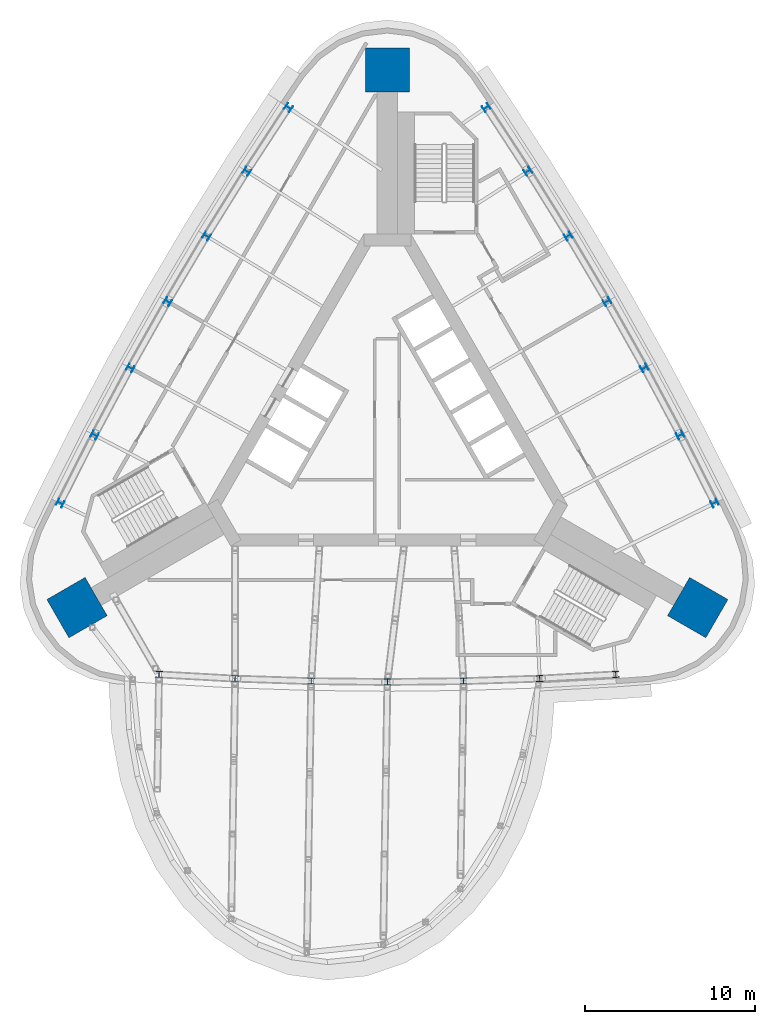
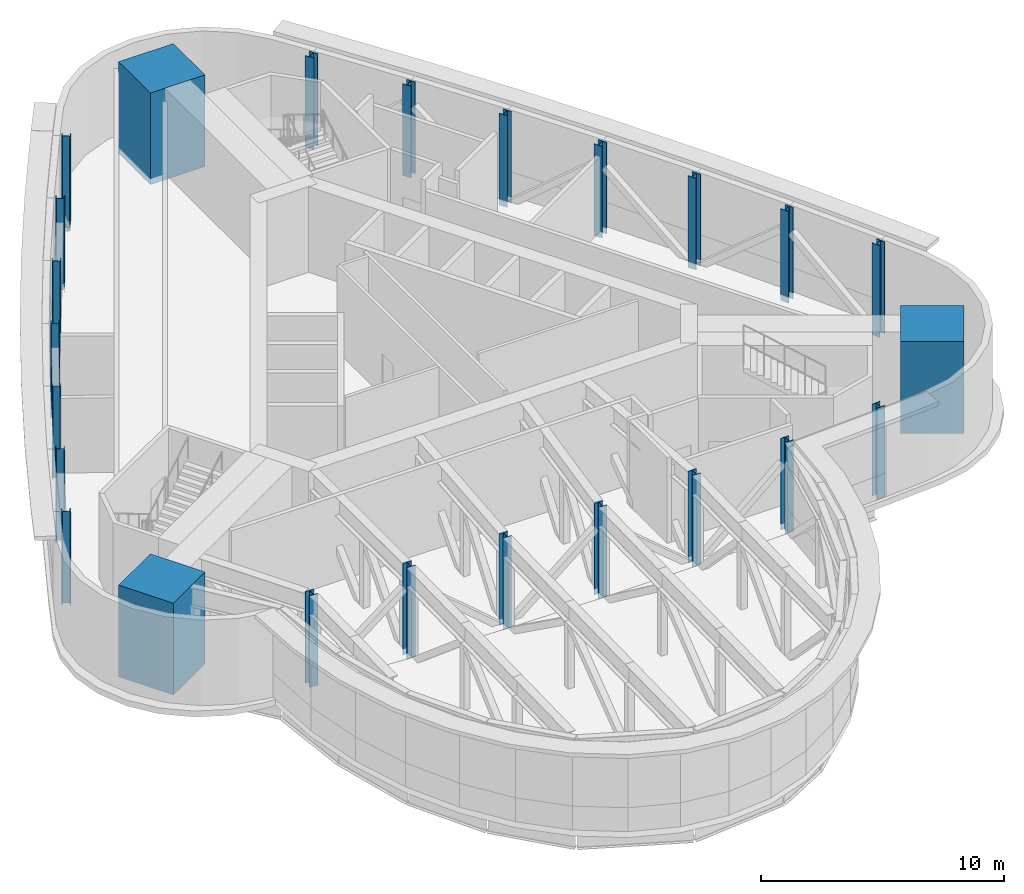
# One storey, part 1 of 10: 24 columns.
"""IFC4 building model written with IfcOpenShell, lengths in metres."""

from ifc_helpers import new_model, si_unit, direction, frame, origin, origin_2d, place, context, subcontext, project, spatial, rectangle, i_section, extrude, material, material_profile, profile_set, type_object, element, save


model = new_model("IFC4")

# Units and contexts
model_context = context("Model", 3, precision=1e-05, world=origin(), true_north=direction((0.0, 1.0)))
body_context = subcontext(model_context, "Body", "Model", "MODEL_VIEW")
ifc_project = project(units=[si_unit("LENGTHUNIT", "METRE"), si_unit("AREAUNIT", "SQUARE_METRE"), si_unit("VOLUMEUNIT", "CUBIC_METRE"), si_unit("PLANEANGLEUNIT", "RADIAN"), si_unit("MASSUNIT", "GRAM", prefix="KILO")], contexts=[model_context])

# Site, building, storey
site_placement = place(None, origin())
site = spatial("IfcSite", under=ifc_project, at=site_placement, CompositionType="ELEMENT")
building_placement = place(site_placement, origin())
building = spatial("IfcBuilding", under=site, at=building_placement, Name="Noor Cloister Tower", CompositionType="ELEMENT")
storey_placement = place(building_placement, frame((0.0, 0.0, 210.300048828125)))
storey = spatial("IfcBuildingStorey", under=building, at=storey_placement, Name="L54", CompositionType="ELEMENT", Elevation=210.300048828125)

# Columns
ifc_material_1 = material(Name="Steel ASTM A992 Gr 50", Category="steel")
ifc_material_profile_1 = material_profile(ifc_material_1, i_section(OverallWidth=0.39404296875, OverallDepth=0.3759765625, WebThickness=0.017333984375, FlangeThickness=0.027587890625, FilletRadius=0.01513671875, at=origin_2d()), Name="W360x216")
ifc_profile_set_1 = profile_set([ifc_material_profile_1], Name="Steel ASTM A992 Gr 50")
column_type_1 = type_object("IfcColumnType", Name="Column W360x216", PredefinedType="COLUMN", material=ifc_profile_set_1)
for number, where, z_axis, x_axis, name in (
    (1, (-5.8251953125, 18.89794921875, -0.300048828125), (0.0, 0.0, 1.0), (-0.556360252768, -0.830941194755, 0.0), "Column NW 01 L54"),
    (2, (-8.280517578125, 15.1416015625, -0.300048828125), (0.0, 0.0, 1.0), (-0.537833901726, -0.843050825369, 0.0), "Column NW 02 L54"),
    (3, (-10.652099609375, 11.331787109375, -0.300048828125), (0.0, 0.0, 1.0), (-0.519044082631, -0.854747471647, 0.0), "Column NW 03 L54"),
    (4, (-12.93896484375, 7.47021484375, -0.300048828125), (0.0, 0.0, 1.0), (-0.5, -0.866025403784, 0.0), "Column NW 04 L54"),
    (5, (-15.1396484375, 3.55908203125, -0.300048828125), (0.0, 0.0, 1.0), (-0.480710982951, -0.876879097065, 0.0), "Column NW 05 L54"),
    (6, (-17.253173828125, -0.399658203125, -0.300048828125), (0.0, 0.0, 1.0), (-0.461186480588, -0.887303234595, 0.0), "Column NW 06 L54"),
    (7, (-19.278564453125, -4.404296875, -0.300048828125), (0.0, 0.0, 1.0), (-0.441436057324, -0.89729270993, 0.0), "Column NW 07 L54"),
    (8, (-13.45361328125, -14.49365234375, -0.300048828125), (0.0, 0.0, 1.0), (0.997796310092, -0.066351515176, 0.0), "Column S 01 L54"),
    (9, (-8.97265625, -14.741943359375, -0.300048828125), (0.0, 0.0, 1.0), (0.999020382313, -0.044252409227, 0.0), "Column S 02 L54"),
    (10, (-4.487548828125, -14.890869140625, -0.300048828125), (0.0, 0.0, 1.0), (0.999755065582, -0.022131625419, 0.0), "Column S 03 L54"),
    (11, (0.0, -14.9404296875, -0.300048828125), (0.0, 0.0, 1.0), (1.0, 0.0, 0.0), "Column S 04 L54"),
    (12, (4.487548828125, -14.890869140625, -0.300048828125), (0.0, 0.0, 1.0), (0.999755065582, 0.022131625419, 0.0), "Column S 05 L54"),
    (13, (8.97265625, -14.741943359375, -0.300048828125), (0.0, 0.0, 1.0), (0.999020382313, 0.044252409227, 0.0), "Column S 06 L54"),
    (14, (13.45361328125, -14.49365234375, -0.300048828125), (0.0, 0.0, 1.0), (0.997796310092, 0.066351515176, 0.0), "Column S 07 L54"),
    (15, (19.278564453125, -4.404296875, -0.300048828125), (0.0, 0.0, 1.0), (-0.441436057324, 0.89729270993, 0.0), "Column NE 01 L54"),
    (16, (17.253173828125, -0.399658203125, -0.300048828125), (0.0, 0.0, 1.0), (-0.461186480588, 0.887303234595, 0.0), "Column NE 02 L54"),
    (17, (15.1396484375, 3.55908203125, -0.300048828125), (0.0, 0.0, 1.0), (-0.480710982951, 0.876879097065, 0.0), "Column NE 03 L54"),
    (18, (12.93896484375, 7.47021484375, -0.300048828125), (0.0, 0.0, 1.0), (-0.5, 0.866025403784, 0.0), "Column NE 04 L54"),
    (19, (10.652099609375, 11.331787109375, -0.300048828125), (0.0, 0.0, 1.0), (-0.519044082631, 0.854747471647, 0.0), "Column NE 05 L54"),
    (20, (8.280517578125, 15.1416015625, -0.300048828125), (0.0, 0.0, 1.0), (-0.537833901726, 0.843050825369, 0.0), "Column NE 06 L54"),
    (21, (5.8251953125, 18.89794921875, -0.300048828125), (0.0, 0.0, 1.0), (-0.556360252768, 0.830941194755, 0.0), "Column NE 07 L54"),
):
    element("IfcColumn", number, at=place(storey_placement, frame(where, z_axis=z_axis, x_axis=x_axis)), inside=storey, type_object=column_type_1, Name=name, PredefinedType="COLUMN", context=body_context, shape_type="SweptSolid", body=[
        extrude(i_section(OverallWidth=0.39404296875, OverallDepth=0.3759765625, WebThickness=0.017333984375, FlangeThickness=0.027587890625, FilletRadius=0.01513671875, at=origin_2d()), origin(), (0.0, 0.0, 1.0), 4.60009765625),
    ])
ifc_material_2 = material(Name="Concrete C70/85", Category="concrete")
ifc_material_profile_2 = material_profile(ifc_material_2, rectangle(XDim=2.60009765625, YDim=2.60009765625, at=origin_2d()), Name="RC 2600x2600")
ifc_profile_set_2 = profile_set([ifc_material_profile_2], Name="Concrete C70/85")
column_type_2 = type_object("IfcColumnType", Name="Corner pier 2600 x 2600 C70/85", PredefinedType="COLUMN", material=ifc_profile_set_2)
for number, where, z_axis, x_axis, name in (
    (22, (0.0, 21.114990234375, -0.300048828125), (0.0, 0.0, 1.0), (0.0, 1.0, 0.0), "Corner pier N L54"),
    (23, (-18.2861328125, -10.5576171875, -0.300048828125), (0.0, 0.0, 1.0), (-0.866025403784, -0.5, 0.0), "Corner pier SW L54"),
    (24, (18.2861328125, -10.5576171875, -0.300048828125), (0.0, 0.0, 1.0), (0.866025403784, -0.5, 0.0), "Corner pier SE L54"),
):
    element("IfcColumn", number, at=place(storey_placement, frame(where, z_axis=z_axis, x_axis=x_axis)), inside=storey, type_object=column_type_2, Name=name, PredefinedType="COLUMN", context=body_context, shape_type="SweptSolid", body=[
        extrude(rectangle(XDim=2.60009765625, YDim=2.60009765625, at=origin_2d()), origin(), (0.0, 0.0, 1.0), 4.60009765625),
    ])

save(model, "model.ifc")
